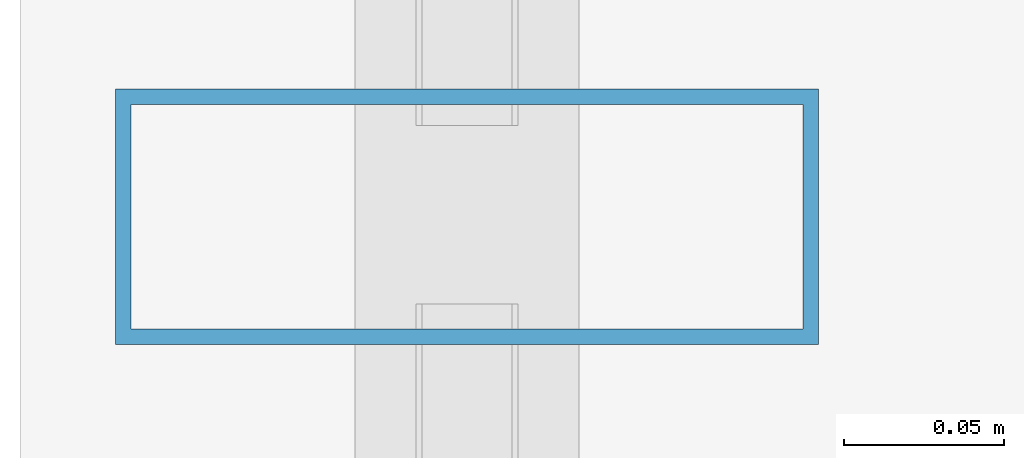
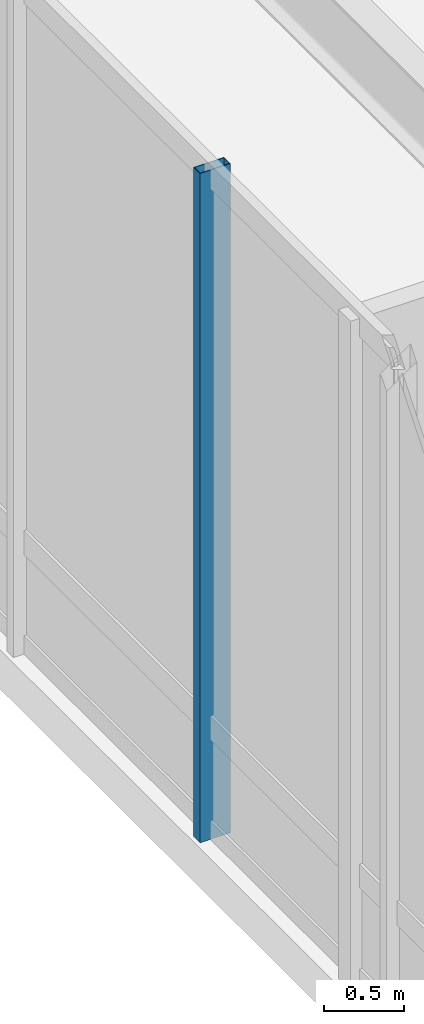
# One storey, part 12 of 35: 1 member, 1 element without a shape of its own.
"""IFC4 building model written with IfcOpenShell, lengths in metres."""

from ifc_helpers import new_model, si_unit, direction, frame, origin, origin_2d, place, context, subcontext, project, spatial, hollow_rectangle, extrude, material, layer, layer_set, material_profile, profile_set, type_object, element, aggregate, save


model = new_model("IFC4")

# Units and contexts
model_context = context("Model", 3, precision=1e-05, world=origin(), true_north=direction((0.0, 1.0)))
body_context = subcontext(model_context, "Body", "Model", "MODEL_VIEW")
ifc_project = project(units=[si_unit("LENGTHUNIT", "METRE"), si_unit("AREAUNIT", "SQUARE_METRE"), si_unit("VOLUMEUNIT", "CUBIC_METRE"), si_unit("PLANEANGLEUNIT", "RADIAN"), si_unit("MASSUNIT", "GRAM", prefix="KILO")], contexts=[model_context])

# Site, building, storey
site_placement = place(None, origin())
site = spatial("IfcSite", under=ifc_project, at=site_placement, CompositionType="ELEMENT")
building_placement = place(site_placement, origin())
building = spatial("IfcBuilding", under=site, at=building_placement, Name="Hatsunagi Terrace Concourse", CompositionType="ELEMENT")
storey_placement = place(building_placement, frame((0.0, 0.0, 5.39990234375)))
storey = spatial("IfcBuildingStorey", under=building, at=storey_placement, Name="L02", CompositionType="ELEMENT", Elevation=5.39990234375)

# Curtain wall, member
ifc_material_1 = material(Name="Anodised Aluminium Alloy 6063-T5", Category="aluminium")
ifc_layer = layer(ifc_material_1, 0.199951171875)
ifc_layer_set = layer_set([ifc_layer], Name="PodiumStorefront_CW01")
curtain_wall_type = type_object("IfcCurtainWallType", Name="PodiumStorefront_CW01", PredefinedType="NOTDEFINED", material=ifc_layer_set)
curtain_wall_placement = place(storey_placement, origin())
curtain_wall = element("IfcCurtainWall", 1, at=curtain_wall_placement, inside=storey, type_object=curtain_wall_type, Name="Unitised Curtain Wall CW-01 CW-L02-10", PredefinedType="NOTDEFINED")
ifc_material_2 = material(Name="Anodised Aluminium Alloy 6063-T5", Category="aluminium")
ifc_material_profile = material_profile(ifc_material_2, hollow_rectangle(XDim=0.080078125, YDim=0.219970703125, WallThickness=0.0048828125, at=origin_2d()), Name="ALU-MUL-220x80x5")
ifc_profile_set = profile_set([ifc_material_profile], Name="Anodised Aluminium Alloy 6063-T5")
member_type = type_object("IfcMemberType", Name="CurtainWallMullion_Heavy_220x80", PredefinedType="MULLION", material=ifc_profile_set)
member_placement = place(storey_placement, frame((0.139892578125, 39.827880859375, 0.0), z_axis=(0.0, 0.0, 1.0), x_axis=(0.0, 1.0, 0.0)))
member = element("IfcMember", 2, at=member_placement, type_object=member_type, Name="Curtain Wall Mullion MUL-01", PredefinedType="MULLION", context=body_context, shape_type="SweptSolid", body=[
    extrude(hollow_rectangle(XDim=0.080078125, YDim=0.219970703125, WallThickness=0.0048828125, at=origin_2d()), origin(), (0.0, 0.0, 1.0), 5.10009765625),
])
aggregate(curtain_wall, [member])

save(model, "model.ifc")
